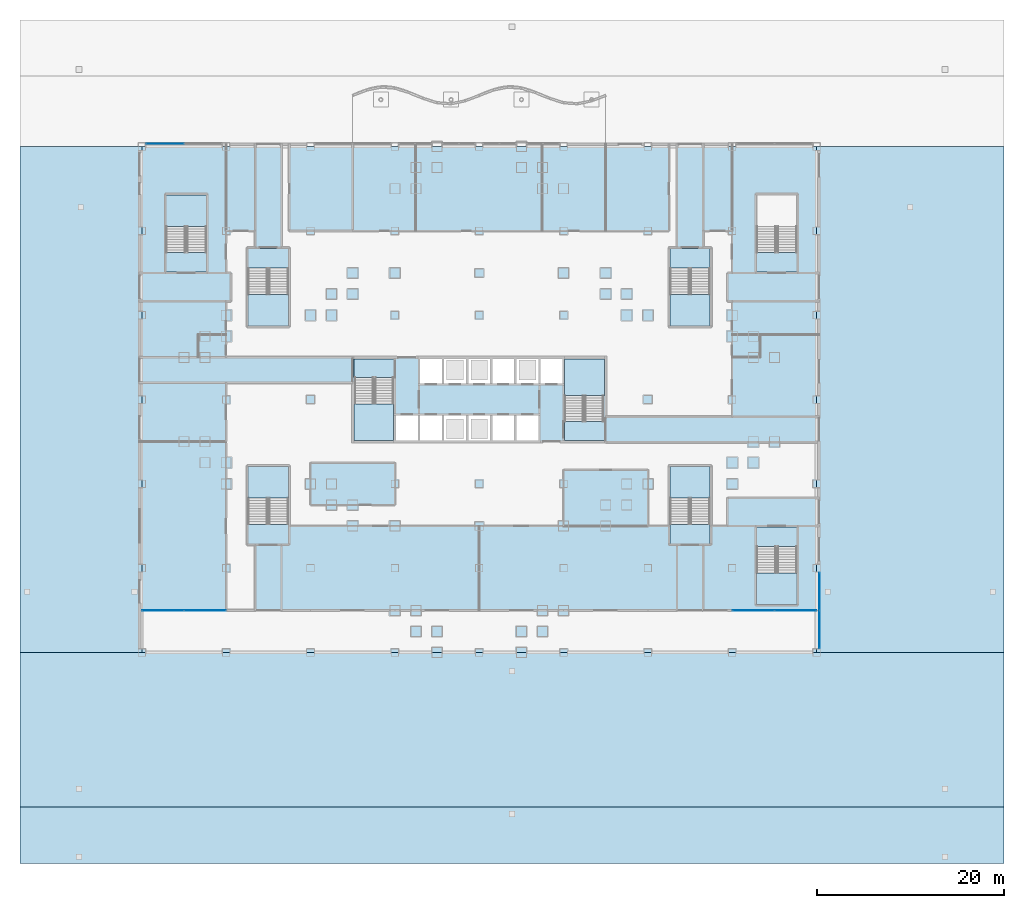
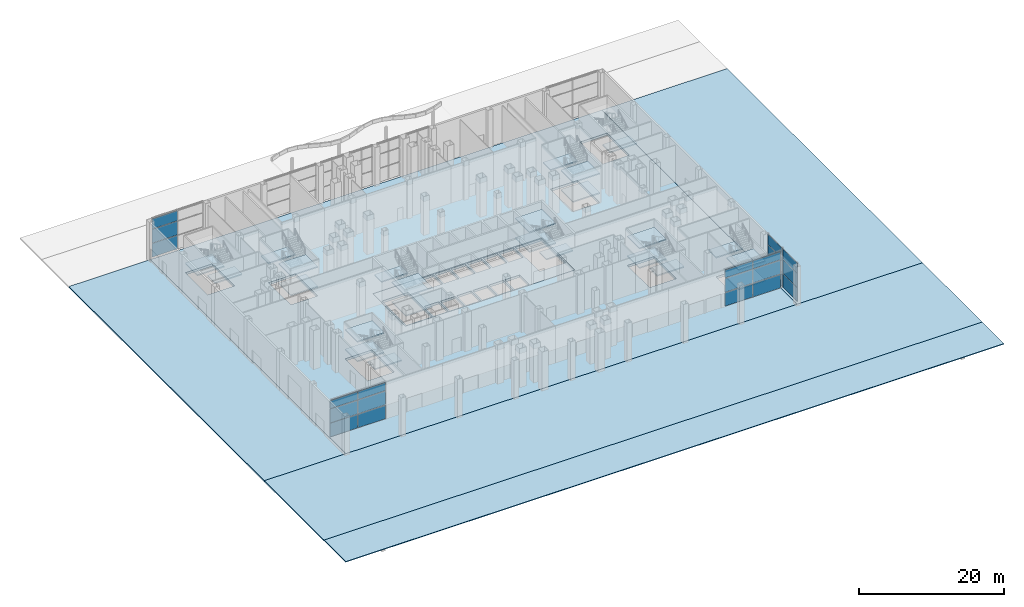
# One storey, part 11 of 38: 30 slabs, 21 plates, 13 elements without a shape of their own.
"""IFC4 building model written with IfcOpenShell, lengths in metres."""

from ifc_helpers import new_model, si_unit, direction, frame, origin, origin_2d, place, context, subcontext, project, spatial, polyline, rectangle, outline, extrude, material, layer, layer_set, type_object, element, aggregate, save


model = new_model("IFC4")

# Units and contexts
model_context = context("Model", 3, precision=1e-05, world=origin(), true_north=direction((0.0, 1.0)))
body_context = subcontext(model_context, "Body", "Model", "MODEL_VIEW")
ifc_project = project(units=[si_unit("LENGTHUNIT", "METRE"), si_unit("AREAUNIT", "SQUARE_METRE"), si_unit("VOLUMEUNIT", "CUBIC_METRE"), si_unit("PLANEANGLEUNIT", "RADIAN"), si_unit("MASSUNIT", "GRAM", prefix="KILO")], contexts=[model_context])

# Site, building, storey
site_placement = place(None, origin())
site = spatial("IfcSite", under=ifc_project, at=site_placement, CompositionType="ELEMENT")
building_placement = place(site_placement, origin())
building = spatial("IfcBuilding", under=site, at=building_placement, Name="Caravel Reach Hotel and Residences", CompositionType="ELEMENT")
storey_placement = place(building_placement, origin())
storey = spatial("IfcBuildingStorey", under=building, at=storey_placement, Name="L00", CompositionType="ELEMENT", Elevation=0.0)

# Curtain wall, plates
ifc_material_1 = material(Name="Dark low-e glazing in black aluminium frame", Category="aluminium")
ifc_layer_1 = layer(ifc_material_1, 0.199951171875)
ifc_layer_set_1 = layer_set([ifc_layer_1], Name="CW5 Lobby glazed wall")
curtain_wall_type_1 = type_object("IfcCurtainWallType", Name="CW5 Lobby glazed wall", PredefinedType="NOTDEFINED", material=ifc_layer_set_1)
curtain_wall_1_placement = place(storey_placement, origin())
curtain_wall_1 = element("IfcCurtainWall", 1, at=curtain_wall_1_placement, inside=storey, type_object=curtain_wall_type_1, Name="Lobby glazed wall b0", PredefinedType="NOTDEFINED")
ifc_material_2 = material(Name="Dark laminated low-e glass", Category="glass")
ifc_layer_2 = layer(ifc_material_2, 0.028076171875)
ifc_layer_set_2 = layer_set([ifc_layer_2], Name="CW glass panel 28")
plate_type_1 = type_object("IfcPlateType", Name="CW glass panel 28", PredefinedType="CURTAIN_PANEL", material=ifc_layer_set_2)
plate_1_placement = place(storey_placement, frame((-2.235107421875, 4.5, 0.06005859375), z_axis=(0.0, 0.0, 1.0), x_axis=(1.0, 0.0, 0.0)))
plate_1 = element("IfcPlate", 2, at=plate_1_placement, type_object=plate_type_1, Name="CW5 panel 1.1", PredefinedType="CURTAIN_PANEL", context=body_context, shape_type="SweptSolid", body=[
    extrude(rectangle(XDim=4.409912109375, YDim=0.028076171875, at=origin_2d()), origin(), (0.0, 0.0, 1.0), 2.31005859375),
])
plate_2_placement = place(storey_placement, frame((-2.235107421875, 4.5, 2.43017578125), z_axis=(0.0, 0.0, 1.0), x_axis=(1.0, 0.0, 0.0)))
plate_2 = element("IfcPlate", 3, at=plate_2_placement, type_object=plate_type_1, Name="CW5 panel 1.2", PredefinedType="CURTAIN_PANEL", context=body_context, shape_type="SweptSolid", body=[
    extrude(rectangle(XDim=4.409912109375, YDim=0.028076171875, at=origin_2d()), origin(), (0.0, 0.0, 1.0), 2.340087890625),
])
plate_3_placement = place(storey_placement, frame((-2.235107421875, 4.5, 4.830078125), z_axis=(0.0, 0.0, 1.0), x_axis=(1.0, 0.0, 0.0)))
plate_3 = element("IfcPlate", 4, at=plate_3_placement, type_object=plate_type_1, Name="CW5 panel 1.3", PredefinedType="CURTAIN_PANEL", context=body_context, shape_type="SweptSolid", body=[
    extrude(rectangle(XDim=4.409912109375, YDim=0.028076171875, at=origin_2d()), origin(), (0.0, 0.0, 1.0), 1.360107421875),
])
plate_4_placement = place(storey_placement, frame((2.235107421875, 4.5, 0.06005859375), z_axis=(0.0, 0.0, 1.0), x_axis=(1.0, 0.0, 0.0)))
plate_4 = element("IfcPlate", 5, at=plate_4_placement, type_object=plate_type_1, Name="CW5 panel 2.1", PredefinedType="CURTAIN_PANEL", context=body_context, shape_type="SweptSolid", body=[
    extrude(rectangle(XDim=4.409912109375, YDim=0.028076171875, at=origin_2d()), origin(), (0.0, 0.0, 1.0), 2.31005859375),
])
plate_5_placement = place(storey_placement, frame((2.235107421875, 4.5, 2.43017578125), z_axis=(0.0, 0.0, 1.0), x_axis=(1.0, 0.0, 0.0)))
plate_5 = element("IfcPlate", 6, at=plate_5_placement, type_object=plate_type_1, Name="CW5 panel 2.2", PredefinedType="CURTAIN_PANEL", context=body_context, shape_type="SweptSolid", body=[
    extrude(rectangle(XDim=4.409912109375, YDim=0.028076171875, at=origin_2d()), origin(), (0.0, 0.0, 1.0), 2.340087890625),
])
plate_6_placement = place(storey_placement, frame((2.235107421875, 4.5, 4.830078125), z_axis=(0.0, 0.0, 1.0), x_axis=(1.0, 0.0, 0.0)))
plate_6 = element("IfcPlate", 7, at=plate_6_placement, type_object=plate_type_1, Name="CW5 panel 2.3", PredefinedType="CURTAIN_PANEL", context=body_context, shape_type="SweptSolid", body=[
    extrude(rectangle(XDim=4.409912109375, YDim=0.028076171875, at=origin_2d()), origin(), (0.0, 0.0, 1.0), 1.360107421875),
])
aggregate(curtain_wall_1, [plate_1, plate_2, plate_3, plate_4, plate_5, plate_6])

curtain_wall_2_placement = place(storey_placement, origin())
curtain_wall_2 = element("IfcCurtainWall", 8, at=curtain_wall_2_placement, inside=storey, type_object=curtain_wall_type_1, Name="Lobby glazed wall b7", PredefinedType="NOTDEFINED")
plate_7_placement = place(storey_placement, frame((60.764892578125, 4.5, 0.06005859375), z_axis=(0.0, 0.0, 1.0), x_axis=(1.0, 0.0, 0.0)))
plate_7 = element("IfcPlate", 9, at=plate_7_placement, type_object=plate_type_1, Name="CW5 panel 1.1", PredefinedType="CURTAIN_PANEL", context=body_context, shape_type="SweptSolid", body=[
    extrude(rectangle(XDim=4.409912109375, YDim=0.028076171875, at=origin_2d()), origin(), (0.0, 0.0, 1.0), 2.31005859375),
])
plate_8_placement = place(storey_placement, frame((60.764892578125, 4.5, 2.43017578125), z_axis=(0.0, 0.0, 1.0), x_axis=(1.0, 0.0, 0.0)))
plate_8 = element("IfcPlate", 10, at=plate_8_placement, type_object=plate_type_1, Name="CW5 panel 1.2", PredefinedType="CURTAIN_PANEL", context=body_context, shape_type="SweptSolid", body=[
    extrude(rectangle(XDim=4.409912109375, YDim=0.028076171875, at=origin_2d()), origin(), (0.0, 0.0, 1.0), 2.340087890625),
])
plate_9_placement = place(storey_placement, frame((60.764892578125, 4.5, 4.830078125), z_axis=(0.0, 0.0, 1.0), x_axis=(1.0, 0.0, 0.0)))
plate_9 = element("IfcPlate", 11, at=plate_9_placement, type_object=plate_type_1, Name="CW5 panel 1.3", PredefinedType="CURTAIN_PANEL", context=body_context, shape_type="SweptSolid", body=[
    extrude(rectangle(XDim=4.409912109375, YDim=0.028076171875, at=origin_2d()), origin(), (0.0, 0.0, 1.0), 1.360107421875),
])
plate_10_placement = place(storey_placement, frame((65.235107421875, 4.5, 0.06005859375), z_axis=(0.0, 0.0, 1.0), x_axis=(1.0, 0.0, 0.0)))
plate_10 = element("IfcPlate", 12, at=plate_10_placement, type_object=plate_type_1, Name="CW5 panel 2.1", PredefinedType="CURTAIN_PANEL", context=body_context, shape_type="SweptSolid", body=[
    extrude(rectangle(XDim=4.409912109375, YDim=0.028076171875, at=origin_2d()), origin(), (0.0, 0.0, 1.0), 2.31005859375),
])
plate_11_placement = place(storey_placement, frame((65.235107421875, 4.5, 2.43017578125), z_axis=(0.0, 0.0, 1.0), x_axis=(1.0, 0.0, 0.0)))
plate_11 = element("IfcPlate", 13, at=plate_11_placement, type_object=plate_type_1, Name="CW5 panel 2.2", PredefinedType="CURTAIN_PANEL", context=body_context, shape_type="SweptSolid", body=[
    extrude(rectangle(XDim=4.409912109375, YDim=0.028076171875, at=origin_2d()), origin(), (0.0, 0.0, 1.0), 2.340087890625),
])
plate_12_placement = place(storey_placement, frame((65.235107421875, 4.5, 4.830078125), z_axis=(0.0, 0.0, 1.0), x_axis=(1.0, 0.0, 0.0)))
plate_12 = element("IfcPlate", 14, at=plate_12_placement, type_object=plate_type_1, Name="CW5 panel 2.3", PredefinedType="CURTAIN_PANEL", context=body_context, shape_type="SweptSolid", body=[
    extrude(rectangle(XDim=4.409912109375, YDim=0.028076171875, at=origin_2d()), origin(), (0.0, 0.0, 1.0), 1.360107421875),
])
aggregate(curtain_wall_2, [plate_7, plate_8, plate_9, plate_10, plate_11, plate_12])

ifc_material_3 = material(Name="Dark low-e glazing in black aluminium frame", Category="aluminium")
ifc_layer_3 = layer(ifc_material_3, 0.199951171875)
ifc_layer_set_3 = layer_set([ifc_layer_3], Name="CW1 Podium storefront")
curtain_wall_type_2 = type_object("IfcCurtainWallType", Name="CW1 Podium storefront", PredefinedType="NOTDEFINED", material=ifc_layer_set_3)
curtain_wall_3_placement = place(storey_placement, origin())
curtain_wall_3 = element("IfcCurtainWall", 15, at=curtain_wall_3_placement, inside=storey, type_object=curtain_wall_type_2, Name="Podium storefront b0", PredefinedType="NOTDEFINED")
ifc_material_4 = material(Name="Dark laminated low-e glass", Category="glass")
ifc_layer_4 = layer(ifc_material_4, 0.035888671875)
ifc_layer_set_4 = layer_set([ifc_layer_4], Name="CW glass panel 36")
plate_type_2 = type_object("IfcPlateType", Name="CW glass panel 36", PredefinedType="CURTAIN_PANEL", material=ifc_layer_set_4)
plate_13_placement = place(storey_placement, frame((67.800048828125, 2.465087890625, 0.06005859375), z_axis=(0.0, 0.0, 1.0), x_axis=(0.0, 1.0, 0.0)))
plate_13 = element("IfcPlate", 16, at=plate_13_placement, type_object=plate_type_2, Name="CW1 panel 1.1", PredefinedType="CURTAIN_PANEL", context=body_context, shape_type="SweptSolid", body=[
    extrude(rectangle(XDim=4.010009765625, YDim=0.035888671875, at=origin_2d()), origin(), (0.0, 0.0, 1.0), 2.31005859375),
])
plate_14_placement = place(storey_placement, frame((67.800048828125, 2.465087890625, 2.43017578125), z_axis=(0.0, 0.0, 1.0), x_axis=(0.0, 1.0, 0.0)))
plate_14 = element("IfcPlate", 17, at=plate_14_placement, type_object=plate_type_2, Name="CW1 panel 1.2", PredefinedType="CURTAIN_PANEL", context=body_context, shape_type="SweptSolid", body=[
    extrude(rectangle(XDim=4.010009765625, YDim=0.035888671875, at=origin_2d()), origin(), (0.0, 0.0, 1.0), 2.340087890625),
])
plate_15_placement = place(storey_placement, frame((67.800048828125, 2.465087890625, 4.830078125), z_axis=(0.0, 0.0, 1.0), x_axis=(0.0, 1.0, 0.0)))
plate_15 = element("IfcPlate", 18, at=plate_15_placement, type_object=plate_type_2, Name="CW1 panel 1.3", PredefinedType="CURTAIN_PANEL", context=body_context, shape_type="SweptSolid", body=[
    extrude(rectangle(XDim=4.010009765625, YDim=0.035888671875, at=origin_2d()), origin(), (0.0, 0.0, 1.0), 1.7099609375),
])
plate_16_placement = place(storey_placement, frame((67.800048828125, 6.534912109375, 0.06005859375), z_axis=(0.0, 0.0, 1.0), x_axis=(0.0, 1.0, 0.0)))
plate_16 = element("IfcPlate", 19, at=plate_16_placement, type_object=plate_type_2, Name="CW1 panel 2.1", PredefinedType="CURTAIN_PANEL", context=body_context, shape_type="SweptSolid", body=[
    extrude(rectangle(XDim=4.010009765625, YDim=0.035888671875, at=origin_2d()), origin(), (0.0, 0.0, 1.0), 2.31005859375),
])
plate_17_placement = place(storey_placement, frame((67.800048828125, 6.534912109375, 2.43017578125), z_axis=(0.0, 0.0, 1.0), x_axis=(0.0, 1.0, 0.0)))
plate_17 = element("IfcPlate", 20, at=plate_17_placement, type_object=plate_type_2, Name="CW1 panel 2.2", PredefinedType="CURTAIN_PANEL", context=body_context, shape_type="SweptSolid", body=[
    extrude(rectangle(XDim=4.010009765625, YDim=0.035888671875, at=origin_2d()), origin(), (0.0, 0.0, 1.0), 2.340087890625),
])
plate_18_placement = place(storey_placement, frame((67.800048828125, 6.534912109375, 4.830078125), z_axis=(0.0, 0.0, 1.0), x_axis=(0.0, 1.0, 0.0)))
plate_18 = element("IfcPlate", 21, at=plate_18_placement, type_object=plate_type_2, Name="CW1 panel 2.3", PredefinedType="CURTAIN_PANEL", context=body_context, shape_type="SweptSolid", body=[
    extrude(rectangle(XDim=4.010009765625, YDim=0.035888671875, at=origin_2d()), origin(), (0.0, 0.0, 1.0), 1.7099609375),
])
aggregate(curtain_wall_3, [plate_13, plate_14, plate_15, plate_16, plate_17, plate_18])

curtain_wall_4_placement = place(storey_placement, origin())
curtain_wall_4 = element("IfcCurtainWall", 22, at=curtain_wall_4_placement, inside=storey, type_object=curtain_wall_type_2, Name="Podium storefront b9", PredefinedType="NOTDEFINED")
plate_19_placement = place(storey_placement, frame((-2.034912109375, 54.300048828125, 0.06005859375), z_axis=(0.0, 0.0, 1.0), x_axis=(-1.0, 0.0, 0.0)))
plate_19 = element("IfcPlate", 23, at=plate_19_placement, type_object=plate_type_2, Name="CW1 panel 2.1", PredefinedType="CURTAIN_PANEL", context=body_context, shape_type="SweptSolid", body=[
    extrude(rectangle(XDim=4.010009765625, YDim=0.035888671875, at=origin_2d()), origin(), (0.0, 0.0, 1.0), 2.31005859375),
])
plate_20_placement = place(storey_placement, frame((-2.034912109375, 54.300048828125, 2.43017578125), z_axis=(0.0, 0.0, 1.0), x_axis=(-1.0, 0.0, 0.0)))
plate_20 = element("IfcPlate", 24, at=plate_20_placement, type_object=plate_type_2, Name="CW1 panel 2.2", PredefinedType="CURTAIN_PANEL", context=body_context, shape_type="SweptSolid", body=[
    extrude(rectangle(XDim=4.010009765625, YDim=0.035888671875, at=origin_2d()), origin(), (0.0, 0.0, 1.0), 2.340087890625),
])
plate_21_placement = place(storey_placement, frame((-2.034912109375, 54.300048828125, 4.830078125), z_axis=(0.0, 0.0, 1.0), x_axis=(-1.0, 0.0, 0.0)))
plate_21 = element("IfcPlate", 25, at=plate_21_placement, type_object=plate_type_2, Name="CW1 panel 2.3", PredefinedType="CURTAIN_PANEL", context=body_context, shape_type="SweptSolid", body=[
    extrude(rectangle(XDim=4.010009765625, YDim=0.035888671875, at=origin_2d()), origin(), (0.0, 0.0, 1.0), 1.7099609375),
])
aggregate(curtain_wall_4, [plate_19, plate_20, plate_21])

# Slab
ifc_material_5 = material(Name="Concrete C40", Category="concrete")
ifc_layer_5 = layer(ifc_material_5, 0.39990234375)
ifc_layer_set_5 = layer_set([ifc_layer_5], Name="Core floor slab 400 mm")
slab_type_1 = type_object("IfcSlabType", Name="Core floor slab 400 mm", PredefinedType="FLOOR", material=ifc_layer_set_5)
slab_1_placement = place(storey_placement, frame((0.0, 0.0, -0.39990234375)))
element("IfcSlab", 26, at=slab_1_placement, inside=storey, type_object=slab_type_1, Name="L00 core floor", PredefinedType="FLOOR", context=body_context, shape_type="SweptSolid", body=[
    extrude(outline(polyline([(18.0, 31.5), (45.0, 31.5), (45.0, 22.5), (18.0, 22.5), (18.0, 31.5)]), holes=[polyline([(22.625, 25.27490234375), (22.625, 22.64990234375), (24.9462890625, 22.64990234375), (24.9462890625, 25.27490234375), (22.625, 25.27490234375)]), polyline([(27.517822265625, 25.27490234375), (25.1962890625, 25.27490234375), (25.1962890625, 22.64990234375), (27.517822265625, 22.64990234375), (27.517822265625, 25.27490234375)]), polyline([(30.08935546875, 25.27490234375), (27.767822265625, 25.27490234375), (27.767822265625, 22.64990234375), (30.08935546875, 22.64990234375), (30.08935546875, 25.27490234375)]), polyline([(32.66064453125, 25.27490234375), (30.33935546875, 25.27490234375), (30.33935546875, 22.64990234375), (32.66064453125, 22.64990234375), (32.66064453125, 25.27490234375)]), polyline([(18.22509765625, 22.64990234375), (22.375, 22.64990234375), (22.375, 29.35009765625), (18.22509765625, 29.35009765625), (18.22509765625, 22.64990234375)]), polyline([(27.517822265625, 31.35009765625), (25.1962890625, 31.35009765625), (25.1962890625, 28.72509765625), (27.517822265625, 28.72509765625), (27.517822265625, 31.35009765625)]), polyline([(30.08935546875, 31.35009765625), (27.767822265625, 31.35009765625), (27.767822265625, 28.72509765625), (30.08935546875, 28.72509765625), (30.08935546875, 31.35009765625)]), polyline([(32.91064453125, 25.27490234375), (32.91064453125, 22.64990234375), (35.232177734375, 22.64990234375), (35.232177734375, 25.27490234375), (32.91064453125, 25.27490234375)]), polyline([(37.8037109375, 25.27490234375), (35.482177734375, 25.27490234375), (35.482177734375, 22.64990234375), (37.8037109375, 22.64990234375), (37.8037109375, 25.27490234375)]), polyline([(44.77490234375, 31.35009765625), (40.625, 31.35009765625), (40.625, 24.64990234375), (44.77490234375, 24.64990234375), (44.77490234375, 31.35009765625)]), polyline([(32.66064453125, 31.35009765625), (30.33935546875, 31.35009765625), (30.33935546875, 28.72509765625), (32.66064453125, 28.72509765625), (32.66064453125, 31.35009765625)]), polyline([(35.232177734375, 31.35009765625), (32.91064453125, 31.35009765625), (32.91064453125, 28.72509765625), (35.232177734375, 28.72509765625), (35.232177734375, 31.35009765625)]), polyline([(37.8037109375, 31.35009765625), (35.482177734375, 31.35009765625), (35.482177734375, 28.72509765625), (37.8037109375, 28.72509765625), (37.8037109375, 31.35009765625)]), polyline([(40.375, 31.35009765625), (38.0537109375, 31.35009765625), (38.0537109375, 28.72509765625), (40.375, 28.72509765625), (40.375, 31.35009765625)])]), origin(), (0.0, 0.0, 1.0), 0.39990234375),
])

# Stair, slabs
ifc_material_6 = material(Name="Concrete C40", Category="concrete")
stair_type = type_object("IfcStairType", Name="Core stair", PredefinedType="HALF_TURN_STAIR", material=ifc_material_6)
stair_1_placement = place(storey_placement, origin())
stair_1 = element("IfcStair", 27, at=stair_1_placement, inside=storey, type_object=stair_type, Name="L00 Exit stair A", PredefinedType="HALF_TURN_STAIR")
ifc_material_7 = material(Name="Concrete C40", Category="concrete")
ifc_layer_6 = layer(ifc_material_7, 0.199951171875)
ifc_layer_set_6 = layer_set([ifc_layer_6], Name="Core stair landing")
slab_type_2 = type_object("IfcSlabType", Name="Core stair landing", PredefinedType="LANDING", material=ifc_layer_set_6)
slab_2_placement = place(storey_placement, frame((0.0, 0.0, 1.449951171875)))
slab_2 = element("IfcSlab", 28, at=slab_2_placement, type_object=slab_type_2, Name="ST-A landing 1", PredefinedType="LANDING", context=body_context, shape_type="SweptSolid", body=[
    extrude(outline(polyline([(18.14990234375, 26.550048828125), (18.14990234375, 22.64990234375), (22.375, 22.64990234375), (22.375, 26.550048828125), (18.14990234375, 26.550048828125)])), origin(), (0.0, 0.0, 1.0), 0.199951171875),
])
slab_3_placement = place(storey_placement, frame((0.0, 0.0, 3.10009765625)))
slab_3 = element("IfcSlab", 29, at=slab_3_placement, type_object=slab_type_2, Name="ST-A landing 2", PredefinedType="LANDING", context=body_context, shape_type="SweptSolid", body=[
    extrude(outline(polyline([(18.14990234375, 31.35009765625), (18.14990234375, 29.35009765625), (22.39990234375, 29.35009765625), (22.39990234375, 31.35009765625), (18.14990234375, 31.35009765625)])), origin(), (0.0, 0.0, 1.0), 0.199951171875),
])
slab_4_placement = place(storey_placement, frame((0.0, 0.0, 4.75)))
slab_4 = element("IfcSlab", 30, at=slab_4_placement, type_object=slab_type_2, Name="ST-A landing 3", PredefinedType="LANDING", context=body_context, shape_type="SweptSolid", body=[
    extrude(outline(polyline([(18.14990234375, 26.550048828125), (18.14990234375, 22.64990234375), (22.375, 22.64990234375), (22.375, 26.550048828125), (18.14990234375, 26.550048828125)])), origin(), (0.0, 0.0, 1.0), 0.199951171875),
])
aggregate(stair_1, [slab_2, slab_3, slab_4])

stair_2_placement = place(storey_placement, origin())
stair_2 = element("IfcStair", 31, at=stair_2_placement, inside=storey, type_object=stair_type, Name="L00 Exit stair B", PredefinedType="HALF_TURN_STAIR")
slab_5_placement = place(storey_placement, frame((0.0, 0.0, 1.449951171875)))
slab_5 = element("IfcSlab", 32, at=slab_5_placement, type_object=slab_type_2, Name="ST-B landing 1", PredefinedType="LANDING", context=body_context, shape_type="SweptSolid", body=[
    extrude(outline(polyline([(44.85009765625, 27.449951171875), (44.85009765625, 31.35009765625), (40.625, 31.35009765625), (40.625, 27.449951171875), (44.85009765625, 27.449951171875)])), origin(), (0.0, 0.0, 1.0), 0.199951171875),
])
slab_6_placement = place(storey_placement, frame((0.0, 0.0, 3.10009765625)))
slab_6 = element("IfcSlab", 33, at=slab_6_placement, type_object=slab_type_2, Name="ST-B landing 2", PredefinedType="LANDING", context=body_context, shape_type="SweptSolid", body=[
    extrude(outline(polyline([(44.85009765625, 22.64990234375), (44.85009765625, 24.64990234375), (40.60009765625, 24.64990234375), (40.60009765625, 22.64990234375), (44.85009765625, 22.64990234375)])), origin(), (0.0, 0.0, 1.0), 0.199951171875),
])
slab_7_placement = place(storey_placement, frame((0.0, 0.0, 4.75)))
slab_7 = element("IfcSlab", 34, at=slab_7_placement, type_object=slab_type_2, Name="ST-B landing 3", PredefinedType="LANDING", context=body_context, shape_type="SweptSolid", body=[
    extrude(outline(polyline([(44.85009765625, 27.449951171875), (44.85009765625, 31.35009765625), (40.625, 31.35009765625), (40.625, 27.449951171875), (44.85009765625, 27.449951171875)])), origin(), (0.0, 0.0, 1.0), 0.199951171875),
])
aggregate(stair_2, [slab_5, slab_6, slab_7])

stair_3_placement = place(storey_placement, origin())
stair_3 = element("IfcStair", 35, at=stair_3_placement, inside=storey, type_object=stair_type, Name="L00 Exit stair P1", PredefinedType="HALF_TURN_STAIR")
slab_8_placement = place(storey_placement, frame((0.0, 0.0, 1.449951171875)))
slab_8 = element("IfcSlab", 36, at=slab_8_placement, type_object=slab_type_2, Name="ST-P1 landing 1", PredefinedType="LANDING", context=body_context, shape_type="SweptSolid", body=[
    extrude(outline(polyline([(6.85009765625, 38.2099609375), (6.85009765625, 34.85009765625), (11.14990234375, 34.85009765625), (11.14990234375, 38.2099609375), (6.85009765625, 38.2099609375)])), origin(), (0.0, 0.0, 1.0), 0.199951171875),
])
slab_9_placement = place(storey_placement, frame((0.0, 0.0, 3.10009765625)))
slab_9 = element("IfcSlab", 37, at=slab_9_placement, type_object=slab_type_2, Name="ST-P1 landing 2", PredefinedType="LANDING", context=body_context, shape_type="SweptSolid", body=[
    extrude(outline(polyline([(6.85009765625, 43.10009765625), (6.85009765625, 41.010009765625), (11.14990234375, 41.010009765625), (11.14990234375, 43.10009765625), (6.85009765625, 43.10009765625)])), origin(), (0.0, 0.0, 1.0), 0.199951171875),
])
slab_10_placement = place(storey_placement, frame((0.0, 0.0, 4.75)))
slab_10 = element("IfcSlab", 38, at=slab_10_placement, type_object=slab_type_2, Name="ST-P1 landing 3", PredefinedType="LANDING", context=body_context, shape_type="SweptSolid", body=[
    extrude(outline(polyline([(6.85009765625, 38.2099609375), (6.85009765625, 34.85009765625), (11.14990234375, 34.85009765625), (11.14990234375, 38.2099609375), (6.85009765625, 38.2099609375)])), origin(), (0.0, 0.0, 1.0), 0.199951171875),
])
aggregate(stair_3, [slab_8, slab_9, slab_10])

stair_4_placement = place(storey_placement, origin())
stair_4 = element("IfcStair", 39, at=stair_4_placement, inside=storey, type_object=stair_type, Name="L00 Exit stair P2", PredefinedType="HALF_TURN_STAIR")
slab_11_placement = place(storey_placement, frame((0.0, 0.0, 1.449951171875)))
slab_11 = element("IfcSlab", 40, at=slab_11_placement, type_object=slab_type_2, Name="ST-P2 landing 1", PredefinedType="LANDING", context=body_context, shape_type="SweptSolid", body=[
    extrude(outline(polyline([(51.85009765625, 38.2099609375), (51.85009765625, 34.85009765625), (56.14990234375, 34.85009765625), (56.14990234375, 38.2099609375), (51.85009765625, 38.2099609375)])), origin(), (0.0, 0.0, 1.0), 0.199951171875),
])
slab_12_placement = place(storey_placement, frame((0.0, 0.0, 3.10009765625)))
slab_12 = element("IfcSlab", 41, at=slab_12_placement, type_object=slab_type_2, Name="ST-P2 landing 2", PredefinedType="LANDING", context=body_context, shape_type="SweptSolid", body=[
    extrude(outline(polyline([(51.85009765625, 43.10009765625), (51.85009765625, 41.010009765625), (56.14990234375, 41.010009765625), (56.14990234375, 43.10009765625), (51.85009765625, 43.10009765625)])), origin(), (0.0, 0.0, 1.0), 0.199951171875),
])
slab_13_placement = place(storey_placement, frame((0.0, 0.0, 4.75)))
slab_13 = element("IfcSlab", 42, at=slab_13_placement, type_object=slab_type_2, Name="ST-P2 landing 3", PredefinedType="LANDING", context=body_context, shape_type="SweptSolid", body=[
    extrude(outline(polyline([(51.85009765625, 38.2099609375), (51.85009765625, 34.85009765625), (56.14990234375, 34.85009765625), (56.14990234375, 38.2099609375), (51.85009765625, 38.2099609375)])), origin(), (0.0, 0.0, 1.0), 0.199951171875),
])
aggregate(stair_4, [slab_11, slab_12, slab_13])

stair_5_placement = place(storey_placement, origin())
stair_5 = element("IfcStair", 43, at=stair_5_placement, inside=storey, type_object=stair_type, Name="L00 Exit stair P3", PredefinedType="HALF_TURN_STAIR")
slab_14_placement = place(storey_placement, frame((0.0, 0.0, 1.449951171875)))
slab_14 = element("IfcSlab", 44, at=slab_14_placement, type_object=slab_type_2, Name="ST-P3 landing 1", PredefinedType="LANDING", context=body_context, shape_type="SweptSolid", body=[
    extrude(outline(polyline([(11.14990234375, 16.489990234375), (11.14990234375, 19.85009765625), (6.85009765625, 19.85009765625), (6.85009765625, 16.489990234375), (11.14990234375, 16.489990234375)])), origin(), (0.0, 0.0, 1.0), 0.199951171875),
])
slab_15_placement = place(storey_placement, frame((0.0, 0.0, 3.10009765625)))
slab_15 = element("IfcSlab", 45, at=slab_15_placement, type_object=slab_type_2, Name="ST-P3 landing 2", PredefinedType="LANDING", context=body_context, shape_type="SweptSolid", body=[
    extrude(outline(polyline([(11.14990234375, 11.60009765625), (11.14990234375, 13.68994140625), (6.85009765625, 13.68994140625), (6.85009765625, 11.60009765625), (11.14990234375, 11.60009765625)])), origin(), (0.0, 0.0, 1.0), 0.199951171875),
])
slab_16_placement = place(storey_placement, frame((0.0, 0.0, 4.75)))
slab_16 = element("IfcSlab", 46, at=slab_16_placement, type_object=slab_type_2, Name="ST-P3 landing 3", PredefinedType="LANDING", context=body_context, shape_type="SweptSolid", body=[
    extrude(outline(polyline([(11.14990234375, 16.489990234375), (11.14990234375, 19.85009765625), (6.85009765625, 19.85009765625), (6.85009765625, 16.489990234375), (11.14990234375, 16.489990234375)])), origin(), (0.0, 0.0, 1.0), 0.199951171875),
])
aggregate(stair_5, [slab_14, slab_15, slab_16])

stair_6_placement = place(storey_placement, origin())
stair_6 = element("IfcStair", 47, at=stair_6_placement, inside=storey, type_object=stair_type, Name="L00 Exit stair P4", PredefinedType="HALF_TURN_STAIR")
slab_17_placement = place(storey_placement, frame((0.0, 0.0, 1.449951171875)))
slab_17 = element("IfcSlab", 48, at=slab_17_placement, type_object=slab_type_2, Name="ST-P4 landing 1", PredefinedType="LANDING", context=body_context, shape_type="SweptSolid", body=[
    extrude(outline(polyline([(56.14990234375, 16.489990234375), (56.14990234375, 19.85009765625), (51.85009765625, 19.85009765625), (51.85009765625, 16.489990234375), (56.14990234375, 16.489990234375)])), origin(), (0.0, 0.0, 1.0), 0.199951171875),
])
slab_18_placement = place(storey_placement, frame((0.0, 0.0, 3.10009765625)))
slab_18 = element("IfcSlab", 49, at=slab_18_placement, type_object=slab_type_2, Name="ST-P4 landing 2", PredefinedType="LANDING", context=body_context, shape_type="SweptSolid", body=[
    extrude(outline(polyline([(56.14990234375, 11.60009765625), (56.14990234375, 13.68994140625), (51.85009765625, 13.68994140625), (51.85009765625, 11.60009765625), (56.14990234375, 11.60009765625)])), origin(), (0.0, 0.0, 1.0), 0.199951171875),
])
slab_19_placement = place(storey_placement, frame((0.0, 0.0, 4.75)))
slab_19 = element("IfcSlab", 50, at=slab_19_placement, type_object=slab_type_2, Name="ST-P4 landing 3", PredefinedType="LANDING", context=body_context, shape_type="SweptSolid", body=[
    extrude(outline(polyline([(56.14990234375, 16.489990234375), (56.14990234375, 19.85009765625), (51.85009765625, 19.85009765625), (51.85009765625, 16.489990234375), (56.14990234375, 16.489990234375)])), origin(), (0.0, 0.0, 1.0), 0.199951171875),
])
aggregate(stair_6, [slab_17, slab_18, slab_19])

stair_7_placement = place(storey_placement, origin())
stair_7 = element("IfcStair", 51, at=stair_7_placement, inside=storey, type_object=stair_type, Name="L00 Exit stair P5", PredefinedType="HALF_TURN_STAIR")
slab_20_placement = place(storey_placement, frame((0.0, 0.0, 1.449951171875)))
slab_20 = element("IfcSlab", 52, at=slab_20_placement, type_object=slab_type_2, Name="ST-P5 landing 1", PredefinedType="LANDING", context=body_context, shape_type="SweptSolid", body=[
    extrude(outline(polyline([(2.39990234375, 45.489990234375), (2.39990234375, 48.85009765625), (-1.89990234375, 48.85009765625), (-1.89990234375, 45.489990234375), (2.39990234375, 45.489990234375)])), origin(), (0.0, 0.0, 1.0), 0.199951171875),
])
slab_21_placement = place(storey_placement, frame((0.0, 0.0, 3.10009765625)))
slab_21 = element("IfcSlab", 53, at=slab_21_placement, type_object=slab_type_2, Name="ST-P5 landing 2", PredefinedType="LANDING", context=body_context, shape_type="SweptSolid", body=[
    extrude(outline(polyline([(2.39990234375, 40.60009765625), (2.39990234375, 42.68994140625), (-1.89990234375, 42.68994140625), (-1.89990234375, 40.60009765625), (2.39990234375, 40.60009765625)])), origin(), (0.0, 0.0, 1.0), 0.199951171875),
])
aggregate(stair_7, [slab_20, slab_21])

# Stair, slab
stair_8_placement = place(storey_placement, origin())
stair_8 = element("IfcStair", 54, at=stair_8_placement, inside=storey, type_object=stair_type, Name="L00 Exit stair P6", PredefinedType="HALF_TURN_STAIR")
slab_22_placement = place(storey_placement, frame((0.0, 0.0, 3.10009765625)))
slab_22 = element("IfcSlab", 55, at=slab_22_placement, type_object=slab_type_2, Name="ST-P6 landing 2", PredefinedType="LANDING", context=body_context, shape_type="SweptSolid", body=[
    extrude(outline(polyline([(65.39990234375, 40.60009765625), (65.39990234375, 42.68994140625), (61.10009765625, 42.68994140625), (61.10009765625, 40.60009765625), (65.39990234375, 40.60009765625)])), origin(), (0.0, 0.0, 1.0), 0.199951171875),
])
aggregate(stair_8, [slab_22])

# Stair, slabs
stair_9_placement = place(storey_placement, origin())
stair_9 = element("IfcStair", 56, at=stair_9_placement, inside=storey, type_object=stair_type, Name="L00 Exit stair P7", PredefinedType="HALF_TURN_STAIR")
slab_23_placement = place(storey_placement, frame((0.0, 0.0, 1.449951171875)))
slab_23 = element("IfcSlab", 57, at=slab_23_placement, type_object=slab_type_2, Name="ST-P7 landing 1", PredefinedType="LANDING", context=body_context, shape_type="SweptSolid", body=[
    extrude(outline(polyline([(61.10009765625, 8.510009765625), (61.10009765625, 5.14990234375), (65.39990234375, 5.14990234375), (65.39990234375, 8.510009765625), (61.10009765625, 8.510009765625)])), origin(), (0.0, 0.0, 1.0), 0.199951171875),
])
slab_24_placement = place(storey_placement, frame((0.0, 0.0, 3.10009765625)))
slab_24 = element("IfcSlab", 58, at=slab_24_placement, type_object=slab_type_2, Name="ST-P7 landing 2", PredefinedType="LANDING", context=body_context, shape_type="SweptSolid", body=[
    extrude(outline(polyline([(61.10009765625, 13.39990234375), (61.10009765625, 11.31005859375), (65.39990234375, 11.31005859375), (65.39990234375, 13.39990234375), (61.10009765625, 13.39990234375)])), origin(), (0.0, 0.0, 1.0), 0.199951171875),
])
slab_25_placement = place(storey_placement, frame((0.0, 0.0, 4.75)))
slab_25 = element("IfcSlab", 59, at=slab_25_placement, type_object=slab_type_2, Name="ST-P7 landing 3", PredefinedType="LANDING", context=body_context, shape_type="SweptSolid", body=[
    extrude(outline(polyline([(61.10009765625, 8.510009765625), (61.10009765625, 5.14990234375), (65.39990234375, 5.14990234375), (65.39990234375, 8.510009765625), (61.10009765625, 8.510009765625)])), origin(), (0.0, 0.0, 1.0), 0.199951171875),
])
aggregate(stair_9, [slab_23, slab_24, slab_25])

# Slabs
ifc_material_8 = material(Name="Concrete C40 post-tensioned", Category="concrete")
ifc_layer_7 = layer(ifc_material_8, 0.39990234375)
ifc_layer_set_7 = layer_set([ifc_layer_7], Name="Floor slab 400")
slab_type_3 = type_object("IfcSlabType", Name="Floor slab 400", PredefinedType="FLOOR", material=ifc_layer_set_7)
slab_26_placement = place(storey_placement, frame((0.0, 0.0, -0.39990234375)))
element("IfcSlab", 60, at=slab_26_placement, inside=storey, type_object=slab_type_3, Name="S4 slab L00", PredefinedType="FLOOR", context=body_context, shape_type="SweptSolid", body=[
    extrude(outline(polyline([(67.5, 0.0), (-4.5, 0.0), (-4.5, 54.0), (67.5, 54.0), (67.5, 0.0)]), holes=[polyline([(45.0, 22.5), (45.0, 31.5), (18.0, 31.5), (18.0, 22.5), (45.0, 22.5)]), polyline([(11.14501953125, 41.010009765625), (6.85498046875, 41.010009765625), (6.85498046875, 34.8701171875), (11.14501953125, 34.8701171875), (11.14501953125, 41.010009765625)]), polyline([(56.14501953125, 34.8701171875), (56.14501953125, 41.010009765625), (51.85498046875, 41.010009765625), (51.85498046875, 34.8701171875), (56.14501953125, 34.8701171875)]), polyline([(11.14501953125, 19.830078125), (6.85498046875, 19.830078125), (6.85498046875, 13.68994140625), (11.14501953125, 13.68994140625), (11.14501953125, 19.830078125)]), polyline([(56.14501953125, 13.68994140625), (56.14501953125, 19.830078125), (51.85498046875, 19.830078125), (51.85498046875, 13.68994140625), (56.14501953125, 13.68994140625)]), polyline([(-1.89501953125, 42.68994140625), (2.39501953125, 42.68994140625), (2.39501953125, 48.830078125), (-1.89501953125, 48.830078125), (-1.89501953125, 42.68994140625)]), polyline([(61.10498046875, 48.830078125), (61.10498046875, 42.68994140625), (65.39501953125, 42.68994140625), (65.39501953125, 48.830078125), (61.10498046875, 48.830078125)]), polyline([(61.10498046875, 5.169921875), (65.39501953125, 5.169921875), (65.39501953125, 11.31005859375), (61.10498046875, 11.31005859375), (61.10498046875, 5.169921875)])]), origin(), (0.0, 0.0, 1.0), 0.39990234375),
])
ifc_material_9 = material(Name="Granite paving", Category="masonry")
ifc_layer_8 = layer(ifc_material_9, 0.199951171875)
ifc_layer_set_8 = layer_set([ifc_layer_8], Name="PV1 Granite paving 200")
slab_type_4 = type_object("IfcSlabType", Name="PV1 Granite paving 200", PredefinedType="USERDEFINED", material=ifc_layer_set_8)
slab_27_placement = place(storey_placement, frame((0.0, 0.0, -0.199951171875)))
element("IfcSlab", 61, at=slab_27_placement, inside=storey, type_object=slab_type_4, Name="River promenade paving", ObjectType="PAVING", PredefinedType="USERDEFINED", context=body_context, shape_type="SweptSolid", body=[
    extrude(outline(polyline([(87.5, -16.5), (87.5, 0.0), (-17.5, 0.0), (-17.5, -16.5), (87.5, -16.5)])), origin(), (0.0, 0.0, 1.0), 0.199951171875),
])
slab_28_placement = place(storey_placement, frame((0.0, 0.0, -0.199951171875)))
element("IfcSlab", 62, at=slab_28_placement, inside=storey, type_object=slab_type_4, Name="West site paving", ObjectType="PAVING", PredefinedType="USERDEFINED", context=body_context, shape_type="SweptSolid", body=[
    extrude(outline(polyline([(-4.5, 0.0), (-4.5, 54.0), (-17.5, 54.0), (-17.5, 0.0), (-4.5, 0.0)])), origin(), (0.0, 0.0, 1.0), 0.199951171875),
])
slab_29_placement = place(storey_placement, frame((0.0, 0.0, -0.199951171875)))
element("IfcSlab", 63, at=slab_29_placement, inside=storey, type_object=slab_type_4, Name="East site paving", ObjectType="PAVING", PredefinedType="USERDEFINED", context=body_context, shape_type="SweptSolid", body=[
    extrude(outline(polyline([(87.5, 0.0), (87.5, 54.0), (67.5, 54.0), (67.5, 0.0), (87.5, 0.0)])), origin(), (0.0, 0.0, 1.0), 0.199951171875),
])
ifc_material_10 = material(Name="Hardwood decking", Category="wood")
ifc_layer_9 = layer(ifc_material_10, 0.1201171875)
ifc_layer_set_9 = layer_set([ifc_layer_9], Name="PV2 Timber boardwalk decking 120")
slab_type_5 = type_object("IfcSlabType", Name="PV2 Timber boardwalk decking 120", PredefinedType="USERDEFINED", material=ifc_layer_set_9)
slab_30_placement = place(storey_placement, frame((0.0, 0.0, -0.1201171875)))
element("IfcSlab", 64, at=slab_30_placement, inside=storey, type_object=slab_type_5, Name="Waterfront boardwalk decking", ObjectType="PAVING", PredefinedType="USERDEFINED", context=body_context, shape_type="SweptSolid", body=[
    extrude(outline(polyline([(87.5, -22.5), (87.5, -16.5), (-17.5, -16.5), (-17.5, -22.5), (87.5, -22.5)])), origin(), (0.0, 0.0, 1.0), 0.1201171875),
])

save(model, "model.ifc")
